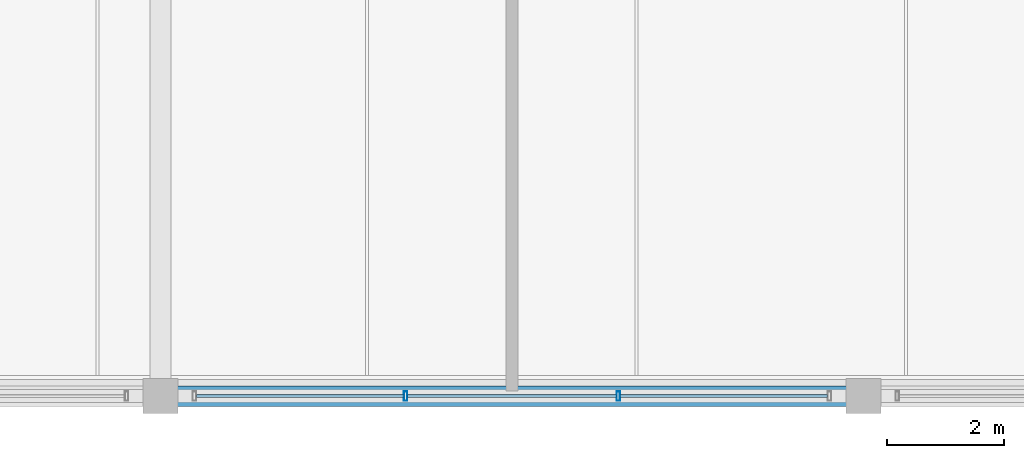
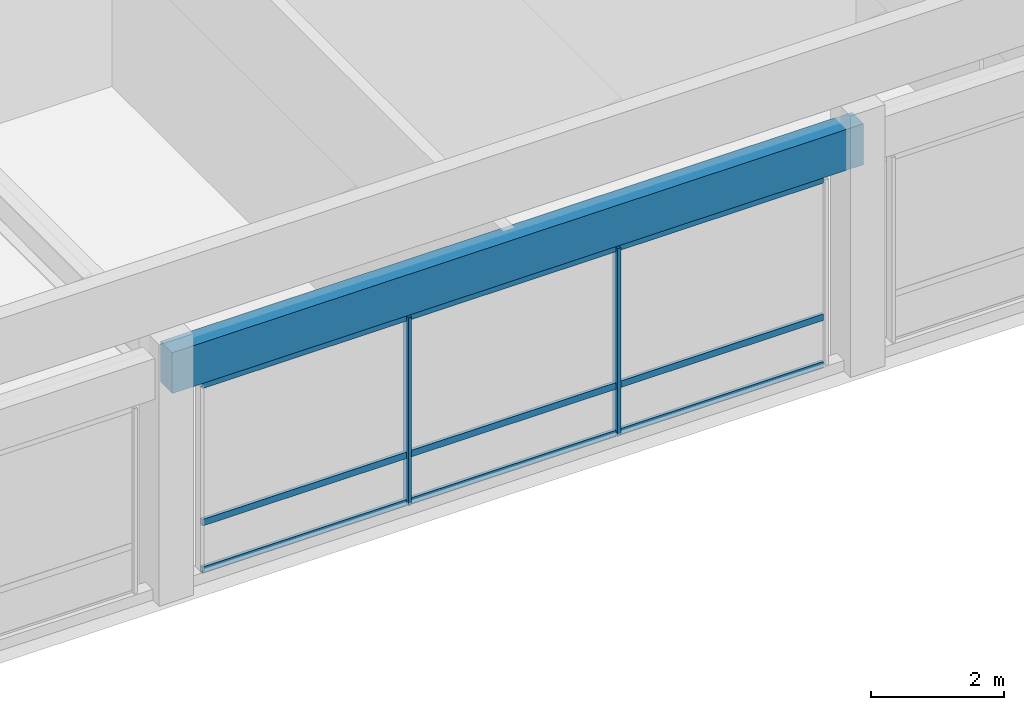
# One storey, part 3 of 16: 11 members, 1 beam, 1 element without a shape of its own.
"""IFC4 building model written with IfcOpenShell, lengths in metres."""

from ifc_helpers import new_model, si_unit, direction, frame, origin, origin_2d, place, context, subcontext, project, spatial, rectangle, hollow_rectangle, extrude, material, material_profile, profile_set, type_object, element, aggregate, save


model = new_model("IFC4")

# Units and contexts
model_context = context("Model", 3, precision=1e-05, world=origin(), true_north=direction((0.0, 1.0)))
body_context = subcontext(model_context, "Body", "Model", "MODEL_VIEW")
ifc_project = project(units=[si_unit("LENGTHUNIT", "METRE"), si_unit("AREAUNIT", "SQUARE_METRE"), si_unit("VOLUMEUNIT", "CUBIC_METRE"), si_unit("PLANEANGLEUNIT", "RADIAN"), si_unit("MASSUNIT", "GRAM", prefix="KILO")], contexts=[model_context])

# Site, building, storey
site_placement = place(None, origin())
site = spatial("IfcSite", under=ifc_project, at=site_placement, CompositionType="ELEMENT")
building_placement = place(site_placement, origin())
building = spatial("IfcBuilding", under=site, at=building_placement, Name="Kaldorvane Square Convention Centre", CompositionType="ELEMENT")
storey_placement = place(building_placement, frame((0.0, 0.0, 70.80000305175781)))
storey = spatial("IfcBuildingStorey", under=building, at=storey_placement, Name="L17", CompositionType="ELEMENT", Elevation=70.80000305175781)

# Beam
ifc_material_1 = material(Name="Concrete f'c = 42 MPa (Normalweight)", Category="concrete")
ifc_material_profile_1 = material_profile(ifc_material_1, rectangle(XDim=0.350006103515625, YDim=0.75, at=origin_2d()), Name="RCSP750X350")
ifc_profile_set_1 = profile_set([ifc_material_profile_1], Name="Concrete f'c = 42 MPa (Normalweight)")
beam_type = type_object("IfcBeamType", Name="BM-SP-RC750", PredefinedType="SPANDREL", material=ifc_profile_set_1)
beam_placement = place(storey_placement, frame((42.0, 84.0, 4.1009979248046875), z_axis=(1.0, 0.0, 0.0), x_axis=(0.0, 1.0, 0.0)))
element("IfcBeam", 1, at=beam_placement, inside=storey, type_object=beam_type, Name="Perimeter Spandrel (L17)", PredefinedType="SPANDREL", context=body_context, shape_type="SweptSolid", body=[
    extrude(rectangle(XDim=0.350006103515625, YDim=0.75, at=origin_2d()), origin(), (0.0, 0.0, 1.0), 12.0),
])

# Curtain wall, members
ifc_material_2 = material(Name="Anodized Aluminum and Low-E Insulated Glazing", Category="aluminium")
curtain_wall_type = type_object("IfcCurtainWallType", Name="CW-UNI-PNT-12", PredefinedType="USERDEFINED", material=ifc_material_2)
curtain_wall_placement = place(storey_placement, origin())
curtain_wall = element("IfcCurtainWall", 2, at=curtain_wall_placement, inside=storey, type_object=curtain_wall_type, Name="Curtain Wall CW-12 (L17)", ObjectType="UNITISED GLAZING", PredefinedType="USERDEFINED")
ifc_material_profile_2 = material_profile(ifc_material_2, hollow_rectangle(XDim=0.05999755859375, YDim=0.160003662109375, WallThickness=0.003204345703125, at=origin_2d()), Name="CWM-160X60")
ifc_profile_set_2 = profile_set([ifc_material_profile_2], Name="Anodized Aluminum and Low-E Insulated Glazing")
member_type_1 = type_object("IfcMemberType", Name="CW-MUL-160", PredefinedType="MULLION", material=ifc_profile_set_2)
member_1_placement = place(storey_placement, frame((46.18333435058594, 84.0, 0.149993896484375), z_axis=(0.0, 0.0, 1.0), x_axis=(1.0, 0.0, 0.0)))
member_1 = element("IfcMember", 3, at=member_1_placement, type_object=member_type_1, Name="CW-12 mullion 2", PredefinedType="MULLION", context=body_context, shape_type="SweptSolid", body=[
    extrude(hollow_rectangle(XDim=0.05999755859375, YDim=0.160003662109375, WallThickness=0.003204345703125, at=origin_2d()), origin(), (0.0, 0.0, 1.0), 3.4499969482421875),
])
member_2_placement = place(storey_placement, frame((49.81666564941406, 84.0, 0.149993896484375), z_axis=(0.0, 0.0, 1.0), x_axis=(1.0, 0.0, 0.0)))
member_2 = element("IfcMember", 4, at=member_2_placement, type_object=member_type_1, Name="CW-12 mullion 3", PredefinedType="MULLION", context=body_context, shape_type="SweptSolid", body=[
    extrude(hollow_rectangle(XDim=0.05999755859375, YDim=0.160003662109375, WallThickness=0.003204345703125, at=origin_2d()), origin(), (0.0, 0.0, 1.0), 3.4499969482421875),
])
ifc_material_profile_3 = material_profile(ifc_material_2, hollow_rectangle(XDim=0.05499267578125, YDim=0.1199951171875, WallThickness=0.0030059814453125, at=origin_2d()), Name="CWT-120X55")
ifc_profile_set_3 = profile_set([ifc_material_profile_3], Name="Anodized Aluminum and Low-E Insulated Glazing")
member_type_2 = type_object("IfcMemberType", Name="CW-TRN-120", PredefinedType="USERDEFINED", material=ifc_profile_set_3)
member_3_placement = place(storey_placement, frame((42.61000061035156, 84.0, 0.177490234375), z_axis=(1.0, 0.0, 0.0), x_axis=(0.0, 1.0, 0.0)))
member_3 = element("IfcMember", 5, at=member_3_placement, type_object=member_type_2, Name="CW-12 transom 1.1", ObjectType="TRANSOM", PredefinedType="USERDEFINED", context=body_context, shape_type="SweptSolid", body=[
    extrude(hollow_rectangle(XDim=0.05499267578125, YDim=0.1199951171875, WallThickness=0.0030059814453125, at=origin_2d()), origin(), (0.0, 0.0, 1.0), 3.5433349609375),
])
member_4_placement = place(storey_placement, frame((42.61000061035156, 84.0, 1.0500030517578125), z_axis=(1.0, 0.0, 0.0), x_axis=(0.0, 1.0, 0.0)))
member_4 = element("IfcMember", 6, at=member_4_placement, type_object=member_type_2, Name="CW-12 transom 1.2", ObjectType="TRANSOM", PredefinedType="USERDEFINED", context=body_context, shape_type="SweptSolid", body=[
    extrude(hollow_rectangle(XDim=0.05499267578125, YDim=0.1199951171875, WallThickness=0.0030059814453125, at=origin_2d()), origin(), (0.0, 0.0, 1.0), 3.5433349609375),
])
member_5_placement = place(storey_placement, frame((42.61000061035156, 84.0, 3.5724945068359375), z_axis=(1.0, 0.0, 0.0), x_axis=(0.0, 1.0, 0.0)))
member_5 = element("IfcMember", 7, at=member_5_placement, type_object=member_type_2, Name="CW-12 transom 1.3", ObjectType="TRANSOM", PredefinedType="USERDEFINED", context=body_context, shape_type="SweptSolid", body=[
    extrude(hollow_rectangle(XDim=0.05499267578125, YDim=0.1199951171875, WallThickness=0.0030059814453125, at=origin_2d()), origin(), (0.0, 0.0, 1.0), 3.5433349609375),
])
member_6_placement = place(storey_placement, frame((46.21333312988281, 84.0, 0.177490234375), z_axis=(1.0, 0.0, 0.0), x_axis=(0.0, 1.0, 0.0)))
member_6 = element("IfcMember", 8, at=member_6_placement, type_object=member_type_2, Name="CW-12 transom 2.1", ObjectType="TRANSOM", PredefinedType="USERDEFINED", context=body_context, shape_type="SweptSolid", body=[
    extrude(hollow_rectangle(XDim=0.05499267578125, YDim=0.1199951171875, WallThickness=0.0030059814453125, at=origin_2d()), origin(), (0.0, 0.0, 1.0), 3.573333740234375),
])
member_7_placement = place(storey_placement, frame((46.21333312988281, 84.0, 1.0500030517578125), z_axis=(1.0, 0.0, 0.0), x_axis=(0.0, 1.0, 0.0)))
member_7 = element("IfcMember", 9, at=member_7_placement, type_object=member_type_2, Name="CW-12 transom 2.2", ObjectType="TRANSOM", PredefinedType="USERDEFINED", context=body_context, shape_type="SweptSolid", body=[
    extrude(hollow_rectangle(XDim=0.05499267578125, YDim=0.1199951171875, WallThickness=0.0030059814453125, at=origin_2d()), origin(), (0.0, 0.0, 1.0), 3.573333740234375),
])
member_8_placement = place(storey_placement, frame((46.21333312988281, 84.0, 3.5724945068359375), z_axis=(1.0, 0.0, 0.0), x_axis=(0.0, 1.0, 0.0)))
member_8 = element("IfcMember", 10, at=member_8_placement, type_object=member_type_2, Name="CW-12 transom 2.3", ObjectType="TRANSOM", PredefinedType="USERDEFINED", context=body_context, shape_type="SweptSolid", body=[
    extrude(hollow_rectangle(XDim=0.05499267578125, YDim=0.1199951171875, WallThickness=0.0030059814453125, at=origin_2d()), origin(), (0.0, 0.0, 1.0), 3.573333740234375),
])
member_9_placement = place(storey_placement, frame((49.84666442871094, 84.0, 0.177490234375), z_axis=(1.0, 0.0, 0.0), x_axis=(0.0, 1.0, 0.0)))
member_9 = element("IfcMember", 11, at=member_9_placement, type_object=member_type_2, Name="CW-12 transom 3.1", ObjectType="TRANSOM", PredefinedType="USERDEFINED", context=body_context, shape_type="SweptSolid", body=[
    extrude(hollow_rectangle(XDim=0.05499267578125, YDim=0.1199951171875, WallThickness=0.0030059814453125, at=origin_2d()), origin(), (0.0, 0.0, 1.0), 3.5433349609375),
])
member_10_placement = place(storey_placement, frame((49.84666442871094, 84.0, 1.0500030517578125), z_axis=(1.0, 0.0, 0.0), x_axis=(0.0, 1.0, 0.0)))
member_10 = element("IfcMember", 12, at=member_10_placement, type_object=member_type_2, Name="CW-12 transom 3.2", ObjectType="TRANSOM", PredefinedType="USERDEFINED", context=body_context, shape_type="SweptSolid", body=[
    extrude(hollow_rectangle(XDim=0.05499267578125, YDim=0.1199951171875, WallThickness=0.0030059814453125, at=origin_2d()), origin(), (0.0, 0.0, 1.0), 3.5433349609375),
])
member_11_placement = place(storey_placement, frame((49.84666442871094, 84.0, 3.5724945068359375), z_axis=(1.0, 0.0, 0.0), x_axis=(0.0, 1.0, 0.0)))
member_11 = element("IfcMember", 13, at=member_11_placement, type_object=member_type_2, Name="CW-12 transom 3.3", ObjectType="TRANSOM", PredefinedType="USERDEFINED", context=body_context, shape_type="SweptSolid", body=[
    extrude(hollow_rectangle(XDim=0.05499267578125, YDim=0.1199951171875, WallThickness=0.0030059814453125, at=origin_2d()), origin(), (0.0, 0.0, 1.0), 3.5433349609375),
])
aggregate(curtain_wall, [member_1, member_2, member_3, member_4, member_5, member_6, member_7, member_8, member_9, member_10, member_11])

save(model, "model.ifc")
